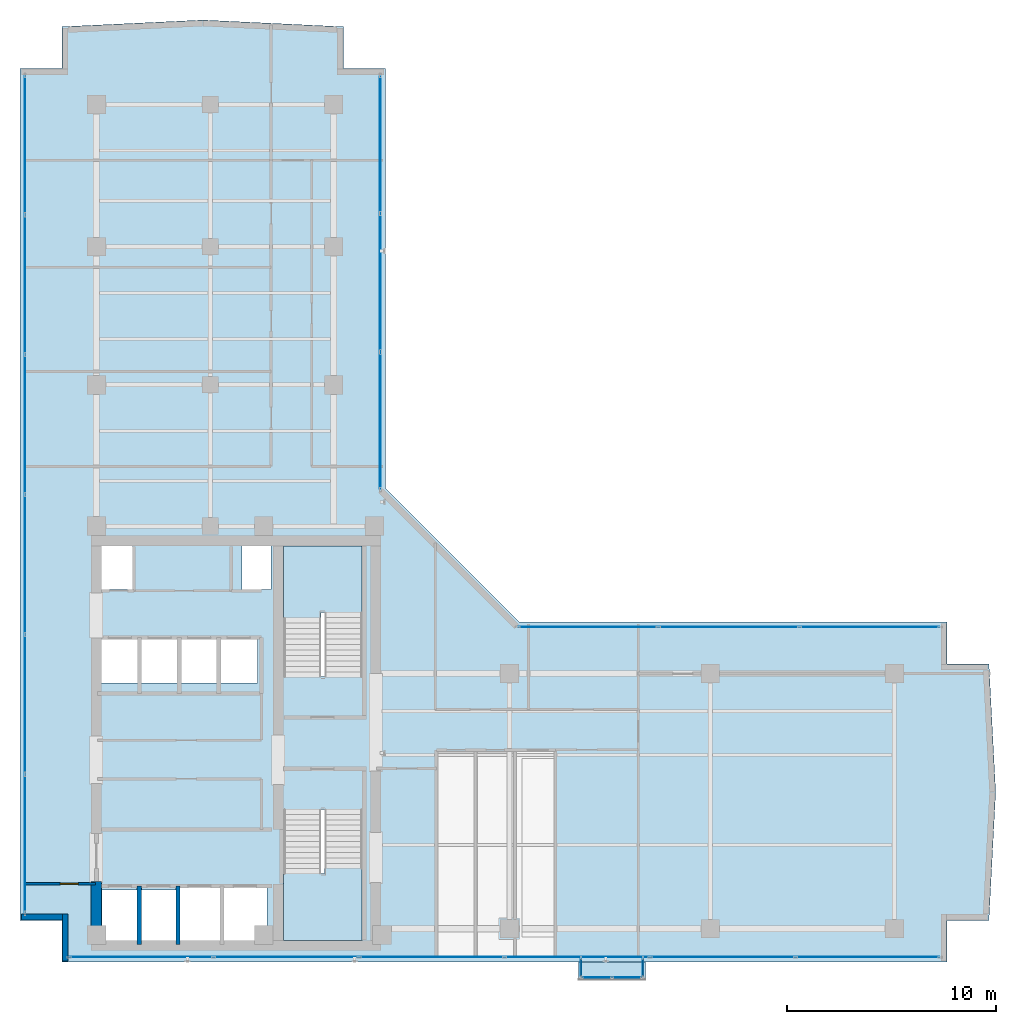
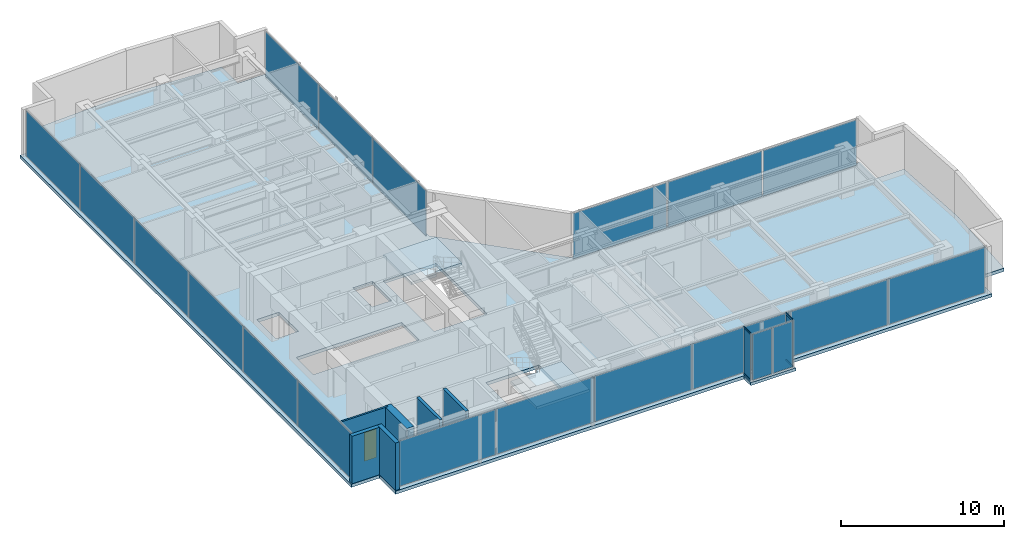
# One storey, part 16 of 22: 22 plates, 6 walls, 4 members, 4 slabs, 1 door, 1 opening, 9 elements without a shape of their own.
"""IFC4 building model written with IfcOpenShell, lengths in metres."""

from ifc_helpers import new_model, si_unit, direction, frame, frame_2d, origin, origin_with_axes, origin_2d, place, context, subcontext, project, spatial, polyline, rectangle, hollow_rectangle, outline, extrude, source, transform, mapped, material, layer, layer_set, material_profile, profile_set, type_object, element, fill, aggregate, save


model = new_model("IFC4")

# Units and contexts
model_context = context("Model", 3, precision=1e-05, world=origin(), true_north=direction((0.0, 1.0)))
body_context = subcontext(model_context, "Body", "Model", "MODEL_VIEW")
ifc_project = project(units=[si_unit("LENGTHUNIT", "METRE"), si_unit("AREAUNIT", "SQUARE_METRE"), si_unit("VOLUMEUNIT", "CUBIC_METRE"), si_unit("PLANEANGLEUNIT", "RADIAN"), si_unit("MASSUNIT", "GRAM", prefix="KILO")], contexts=[model_context])

# Site, building, storey
site_placement = place(None, origin())
site = spatial("IfcSite", under=ifc_project, at=site_placement, CompositionType="ELEMENT")
building_placement = place(site_placement, origin())
building = spatial("IfcBuilding", under=site, at=building_placement, Name="Kolvaren Waterfront Exchange", CompositionType="ELEMENT")
storey_placement = place(building_placement, frame((0.0, 0.0, 312.199951171875)))
storey = spatial("IfcBuildingStorey", under=building, at=storey_placement, Name="L80", CompositionType="ELEMENT", Elevation=312.199951171875)

# Curtain wall, members
ifc_material_1 = material(Name="Anodised bronze aluminium 6063-T6", Category="aluminium")
ifc_layer_1 = layer(ifc_material_1, 0.219970703125, Name="Anodised bronze aluminium 6063-T6")
ifc_layer_set_1 = layer_set([ifc_layer_1], Name="Anodised bronze aluminium 6063-T6")
curtain_wall_type_1 = type_object("IfcCurtainWallType", Name="ARC-CW-SYS3", PredefinedType="USERDEFINED", material=ifc_layer_set_1)
curtain_wall_1_placement = place(storey_placement, origin())
curtain_wall_1 = element("IfcCurtainWall", 1, at=curtain_wall_1_placement, inside=storey, type_object=curtain_wall_type_1, Name="L80 stick curtain wall CW3 (CW-L80-BOX-W)", ObjectType="STICK CURTAIN WALL", PredefinedType="USERDEFINED")
ifc_material_profile = material_profile(ifc_material_1, hollow_rectangle(XDim=0.06494140625, YDim=0.1298828125, WallThickness=0.00390625, at=origin_2d()), Name="ALU-TRN-130x65x4")
ifc_profile_set = profile_set([ifc_material_profile], Name="Anodised bronze aluminium 6063-T6")
member_type = type_object("IfcMemberType", Name="ARC-CWT-130", PredefinedType="USERDEFINED", material=ifc_profile_set)
shared_shape_1 = source(origin_with_axes(), body_context, "Body", "SweptSolid", [
    extrude(hollow_rectangle(XDim=0.06494140625, YDim=0.1298828125, WallThickness=0.00390625, at=origin_2d()), origin(), (0.0, 0.0, 1.0), 0.829833984375),
])
member_1_placement = place(storey_placement, frame((30.610107421875, 3.764892578125, 0.032470703125), z_axis=(0.0, -1.0, 0.0), x_axis=(1.0, 0.0, 0.0)))
member_1 = element("IfcMember", 2, at=member_1_placement, type_object=member_type, Name="CW3 transom 1.1", ObjectType="TRANSOM", PredefinedType="USERDEFINED", context=body_context, shape_type="MappedRepresentation", body=[
    mapped(shared_shape_1, transform((0.0, 0.0, 0.0), x_axis=(1.0, 0.0, 0.0), y_axis=(0.0, 1.0, 0.0), z_axis=(0.0, 0.0, 1.0), scale=1.0)),
])
member_2_placement = place(storey_placement, frame((30.610107421875, 3.764892578125, 3.527587890625), z_axis=(0.0, -1.0, 0.0), x_axis=(1.0, 0.0, 0.0)))
member_2 = element("IfcMember", 3, at=member_2_placement, type_object=member_type, Name="CW3 transom 1.2", ObjectType="TRANSOM", PredefinedType="USERDEFINED", context=body_context, shape_type="MappedRepresentation", body=[
    mapped(shared_shape_1, transform((0.0, 0.0, 0.0), x_axis=(1.0, 0.0, 0.0), y_axis=(0.0, 1.0, 0.0), z_axis=(0.0, 0.0, 1.0), scale=1.0)),
])

curtain_wall_2_placement = place(storey_placement, origin())
curtain_wall_2 = element("IfcCurtainWall", 4, at=curtain_wall_2_placement, inside=storey, type_object=curtain_wall_type_1, Name="L80 stick curtain wall CW3 (CW-L80-BOX-E)", ObjectType="STICK CURTAIN WALL", PredefinedType="USERDEFINED")
member_3_placement = place(storey_placement, frame((33.590087890625, 2.93505859375, 0.032470703125), z_axis=(0.0, 1.0, 0.0), x_axis=(-1.0, 0.0, 0.0)))
member_3 = element("IfcMember", 5, at=member_3_placement, type_object=member_type, Name="CW3 transom 1.1", ObjectType="TRANSOM", PredefinedType="USERDEFINED", context=body_context, shape_type="MappedRepresentation", body=[
    mapped(shared_shape_1, transform((0.0, 0.0, 0.0), x_axis=(1.0, 0.0, 0.0), y_axis=(0.0, 1.0, 0.0), z_axis=(0.0, 0.0, 1.0), scale=1.0)),
])
member_4_placement = place(storey_placement, frame((33.590087890625, 2.93505859375, 3.527587890625), z_axis=(0.0, 1.0, 0.0), x_axis=(-1.0, 0.0, 0.0)))
member_4 = element("IfcMember", 6, at=member_4_placement, type_object=member_type, Name="CW3 transom 1.2", ObjectType="TRANSOM", PredefinedType="USERDEFINED", context=body_context, shape_type="MappedRepresentation", body=[
    mapped(shared_shape_1, transform((0.0, 0.0, 0.0), x_axis=(1.0, 0.0, 0.0), y_axis=(0.0, 1.0, 0.0), z_axis=(0.0, 0.0, 1.0), scale=1.0)),
])

# Stair, slab
ifc_material_2 = material(Name="Concrete C40/50", Category="concrete")
stair_type = type_object("IfcStairType", Name="ARC-STAIR-3800", PredefinedType="HALF_TURN_STAIR", material=ifc_material_2)
stair_1_placement = place(storey_placement, origin())
stair_1 = element("IfcStair", 7, at=stair_1_placement, inside=storey, type_object=stair_type, Name="L80 Smoke-proof exit stair ST1", PredefinedType="HALF_TURN_STAIR")
ifc_layer_2 = layer(ifc_material_2, 0.199951171875, Name="Concrete C40/50")
ifc_layer_set_2 = layer_set([ifc_layer_2], Name="Concrete C40/50")
slab_type_1 = type_object("IfcSlabType", Name="STR-LANDING-200", PredefinedType="LANDING", material=ifc_layer_set_2)
slab_1_placement = place(storey_placement, frame((0.0, 0.0, 1.776123046875)))
slab_1 = element("IfcSlab", 8, at=slab_1_placement, type_object=slab_type_1, Name="ST1 landing 1", PredefinedType="LANDING", context=body_context, shape_type="SweptSolid", body=[
    extrude(outline(polyline([(16.39990234375, 7.840087890625), (16.39990234375, 4.64990234375), (20.159912109375, 4.64990234375), (20.159912109375, 8.10009765625), (18.360107421875, 8.10009765625), (18.360107421875, 7.840087890625), (16.39990234375, 7.840087890625)])), origin(), (0.0, 0.0, 1.0), 0.199951171875),
])
aggregate(stair_1, [slab_1])

stair_2_placement = place(storey_placement, origin())
stair_2 = element("IfcStair", 9, at=stair_2_placement, inside=storey, type_object=stair_type, Name="L80 Smoke-proof exit stair ST2", PredefinedType="HALF_TURN_STAIR")
slab_2_placement = place(storey_placement, frame((0.0, 0.0, 1.776123046875)))
slab_2 = element("IfcSlab", 10, at=slab_2_placement, type_object=slab_type_1, Name="ST2 landing 1", PredefinedType="LANDING", context=body_context, shape_type="SweptSolid", body=[
    extrude(outline(polyline([(20.159912109375, 20.31005859375), (20.159912109375, 23.5), (16.39990234375, 23.5), (16.39990234375, 20.050048828125), (18.199951171875, 20.050048828125), (18.199951171875, 20.31005859375), (20.159912109375, 20.31005859375)])), origin(), (0.0, 0.0, 1.0), 0.199951171875),
])
aggregate(stair_2, [slab_2])

# Slabs
ifc_layer_3 = layer(ifc_material_2, 0.239990234375, Name="Concrete C40/50")
ifc_layer_set_3 = layer_set([ifc_layer_3], Name="Concrete C40/50")
slab_type_2 = type_object("IfcSlabType", Name="STR-SLAB-240", PredefinedType="FLOOR", material=ifc_layer_set_3)
slab_3_placement = place(storey_placement, frame((0.0, 0.0, -0.239990234375)))
element("IfcSlab", 11, at=slab_3_placement, inside=storey, type_object=slab_type_2, Name="L80 structural floor slab", PredefinedType="FLOOR", context=body_context, shape_type="SweptSolid", body=[
    extrude(outline(polyline([(5.800048828125, 3.60009765625), (48.12109375, 3.60009765625), (48.12109375, 5.60009765625), (50.12109375, 5.60009765625), (50.442138671875, 11.731689453125), (50.12109375, 17.86328125), (48.12109375, 17.86328125), (48.12109375, 19.86328125), (27.6630859375, 19.86328125), (21.26318359375, 26.26318359375), (21.26318359375, 46.321044921875), (19.26318359375, 46.321044921875), (19.26318359375, 48.321044921875), (12.531494140625, 48.64208984375), (5.800048828125, 48.321044921875), (5.800048828125, 46.321044921875), (3.800048828125, 46.321044921875), (3.800048828125, 5.60009765625), (5.800048828125, 5.60009765625), (5.800048828125, 3.60009765625)]), holes=[polyline([(11.320068359375, 7.260009765625), (15.610107421875, 7.260009765625), (15.610107421875, 4.5400390625), (7.719970703125, 4.5400390625), (7.719970703125, 7.06005859375), (11.320068359375, 7.06005859375), (11.320068359375, 7.260009765625)]), polyline([(20.159912109375, 10.89990234375), (20.159912109375, 4.64990234375), (16.39990234375, 4.64990234375), (16.39990234375, 10.89990234375), (20.159912109375, 10.89990234375)]), polyline([(7.669921875, 19.06005859375), (15.159912109375, 19.06005859375), (15.159912109375, 16.93994140625), (7.669921875, 16.93994140625), (7.669921875, 19.06005859375)]), polyline([(16.39990234375, 17.25), (16.39990234375, 23.5), (20.159912109375, 23.5), (20.159912109375, 17.25), (16.39990234375, 17.25)]), polyline([(7.60009765625, 23.780029296875), (9.179931640625, 23.780029296875), (9.179931640625, 21.419921875), (7.60009765625, 21.419921875), (7.60009765625, 23.780029296875)]), polyline([(14.419921875, 23.780029296875), (15.800048828125, 23.780029296875), (15.800048828125, 21.419921875), (14.419921875, 21.419921875), (14.419921875, 23.780029296875)])]), origin(), (0.0, 0.0, 1.0), 0.239990234375),
])
ifc_layer_4 = layer(ifc_material_2, 0.219970703125, Name="Concrete C40/50")
ifc_layer_set_4 = layer_set([ifc_layer_4], Name="Concrete C40/50")
slab_type_3 = type_object("IfcSlabType", Name="STR-TERR-220", PredefinedType="FLOOR", material=ifc_layer_set_4)
slab_4_placement = place(storey_placement, frame((0.0, 0.0, -0.219970703125)))
element("IfcSlab", 12, at=slab_4_placement, inside=storey, type_object=slab_type_3, Name="L80 projecting bay-box floor strip", PredefinedType="FLOOR", context=body_context, shape_type="SweptSolid", body=[
    extrude(outline(polyline([(30.5, 2.75), (33.699951171875, 2.75), (33.699951171875, 3.60009765625), (30.5, 3.60009765625), (30.5, 2.75)])), origin(), (0.0, 0.0, 1.0), 0.219970703125),
])

# Plate
ifc_material_3 = material(Name="Bronze tinted bay-box vision glass", Category="aluminium")
ifc_layer_5 = layer(ifc_material_3, 0.02392578125, Name="Bronze tinted bay-box vision glass")
ifc_layer_set_5 = layer_set([ifc_layer_5], Name="Bronze tinted bay-box vision glass")
plate_type_1 = type_object("IfcPlateType", Name="ARC-CWP-24", PredefinedType="CURTAIN_PANEL", material=ifc_layer_set_5)
shared_shape_2 = source(origin_with_axes(), body_context, "Body", "SweptSolid", [
    extrude(rectangle(XDim=0.830078125, YDim=0.02392578125, at=origin_2d()), origin(), (0.0, 0.0, 1.0), 3.429931640625),
])
plate_1_placement = place(storey_placement, frame((30.610107421875, 3.35009765625, 0.06494140625), z_axis=(0.0, 0.0, 1.0), x_axis=(0.0, -1.0, 0.0)))
plate_1 = element("IfcPlate", 13, at=plate_1_placement, type_object=plate_type_1, Name="CW3 panel 1.1", PredefinedType="CURTAIN_PANEL", context=body_context, shape_type="MappedRepresentation", body=[
    mapped(shared_shape_2, transform((0.0, 0.0, 0.0), x_axis=(1.0, 0.0, 0.0), y_axis=(0.0, 1.0, 0.0), z_axis=(0.0, 0.0, 1.0), scale=1.0)),
])

aggregate(curtain_wall_1, [member_1, member_2, plate_1])

plate_2_placement = place(storey_placement, frame((33.590087890625, 3.35009765625, 0.06494140625), z_axis=(0.0, 0.0, 1.0), x_axis=(0.0, 1.0, 0.0)))
plate_2 = element("IfcPlate", 14, at=plate_2_placement, type_object=plate_type_1, Name="CW3 panel 1.1", PredefinedType="CURTAIN_PANEL", context=body_context, shape_type="MappedRepresentation", body=[
    mapped(shared_shape_2, transform((0.0, 0.0, 0.0), x_axis=(1.0, 0.0, 0.0), y_axis=(0.0, 1.0, 0.0), z_axis=(0.0, 0.0, 1.0), scale=1.0)),
])

aggregate(curtain_wall_2, [member_3, member_4, plate_2])

# Curtain wall, plates
curtain_wall_3_placement = place(storey_placement, origin())
curtain_wall_3 = element("IfcCurtainWall", 15, at=curtain_wall_3_placement, inside=storey, type_object=curtain_wall_type_1, Name="L80 stick curtain wall CW3 (CW-L80-BOX)", ObjectType="STICK CURTAIN WALL", PredefinedType="USERDEFINED")
shared_shape_3 = source(origin_with_axes(), body_context, "Body", "SweptSolid", [
    extrude(rectangle(XDim=1.37744140625, YDim=0.02392578125, at=origin_2d()), origin(), (0.0, 0.0, 1.0), 3.429931640625),
])
plate_3_placement = place(storey_placement, frame((31.373779296875, 2.860107421875, 0.06494140625), z_axis=(0.0, 0.0, 1.0), x_axis=(1.0, 0.0, 0.0)))
plate_3 = element("IfcPlate", 16, at=plate_3_placement, type_object=plate_type_1, Name="CW3 panel 1.1", PredefinedType="CURTAIN_PANEL", context=body_context, shape_type="MappedRepresentation", body=[
    mapped(shared_shape_3, transform((0.0, 0.0, 0.0), x_axis=(1.0, 0.0, 0.0), y_axis=(0.0, 1.0, 0.0), z_axis=(0.0, 0.0, 1.0), scale=1.0)),
])
plate_4_placement = place(storey_placement, frame((32.826171875, 2.860107421875, 0.06494140625), z_axis=(0.0, 0.0, 1.0), x_axis=(1.0, 0.0, 0.0)))
plate_4 = element("IfcPlate", 17, at=plate_4_placement, type_object=plate_type_1, Name="CW3 panel 2.1", PredefinedType="CURTAIN_PANEL", context=body_context, shape_type="MappedRepresentation", body=[
    mapped(shared_shape_3, transform((0.0, 0.0, 0.0), x_axis=(1.0, 0.0, 0.0), y_axis=(0.0, 1.0, 0.0), z_axis=(0.0, 0.0, 1.0), scale=1.0)),
])
aggregate(curtain_wall_3, [plate_3, plate_4])

ifc_layer_6 = layer(ifc_material_1, 0.219970703125, Name="Anodised bronze aluminium 6063-T6")
ifc_layer_set_6 = layer_set([ifc_layer_6], Name="Anodised bronze aluminium 6063-T6")
curtain_wall_type_2 = type_object("IfcCurtainWallType", Name="ARC-CW-SYS1", PredefinedType="USERDEFINED", material=ifc_layer_set_6)
curtain_wall_4_placement = place(storey_placement, origin())
curtain_wall_4 = element("IfcCurtainWall", 18, at=curtain_wall_4_placement, inside=storey, type_object=curtain_wall_type_2, Name="L80 stick curtain wall CW1 (CW-L80-S)", ObjectType="STICK CURTAIN WALL", PredefinedType="USERDEFINED")
ifc_material_4 = material(Name="Bronze solar control vision glass", Category="aluminium")
ifc_layer_7 = layer(ifc_material_4, 0.028076171875, Name="Bronze solar control vision glass")
ifc_layer_set_7 = layer_set([ifc_layer_7], Name="Bronze solar control vision glass")
plate_type_2 = type_object("IfcPlateType", Name="ARC-CWP-28", PredefinedType="CURTAIN_PANEL", material=ifc_layer_set_7)
shared_shape_4 = source(origin_with_axes(), body_context, "Body", "SweptSolid", [
    extrude(rectangle(XDim=6.83349609375, YDim=0.028076171875, at=origin_2d()), origin(), (0.0, 0.0, 1.0), 3.409912109375),
])
plate_5_placement = place(storey_placement, frame((9.5966796875, 3.840087890625, 0.0751953125), z_axis=(0.0, 0.0, 1.0), x_axis=(1.0, 0.0, 0.0)))
plate_5 = element("IfcPlate", 19, at=plate_5_placement, type_object=plate_type_2, Name="CW1 panel 1.1", PredefinedType="CURTAIN_PANEL", context=body_context, shape_type="MappedRepresentation", body=[
    mapped(shared_shape_4, transform((0.0, 0.0, 0.0), x_axis=(1.0, 0.0, 0.0), y_axis=(0.0, 1.0, 0.0), z_axis=(0.0, 0.0, 1.0), scale=1.0)),
])
plate_6_placement = place(storey_placement, frame((44.324462890625, 3.840087890625, 0.0751953125), z_axis=(0.0, 0.0, 1.0), x_axis=(1.0, 0.0, 0.0)))
plate_6 = element("IfcPlate", 20, at=plate_6_placement, type_object=plate_type_2, Name="CW1 panel 6.1", PredefinedType="CURTAIN_PANEL", context=body_context, shape_type="MappedRepresentation", body=[
    mapped(shared_shape_4, transform((0.0, 0.0, 0.0), x_axis=(1.0, 0.0, 0.0), y_axis=(0.0, 1.0, 0.0), z_axis=(0.0, 0.0, 1.0), scale=1.0)),
])
shared_shape_5 = source(origin_with_axes(), body_context, "Body", "SweptSolid", [
    extrude(rectangle(XDim=6.87353515625, YDim=0.028076171875, at=origin_2d()), origin(), (0.0, 0.0, 1.0), 3.409912109375),
])
plate_7_placement = place(storey_placement, frame((16.5302734375, 3.840087890625, 0.0751953125), z_axis=(0.0, 0.0, 1.0), x_axis=(1.0, 0.0, 0.0)))
plate_7 = element("IfcPlate", 21, at=plate_7_placement, type_object=plate_type_2, Name="CW1 panel 2.1", PredefinedType="CURTAIN_PANEL", context=body_context, shape_type="MappedRepresentation", body=[
    mapped(shared_shape_5, transform((0.0, 0.0, 0.0), x_axis=(1.0, 0.0, 0.0), y_axis=(0.0, 1.0, 0.0), z_axis=(0.0, 0.0, 1.0), scale=1.0)),
])
plate_8_placement = place(storey_placement, frame((23.48388671875, 3.840087890625, 0.0751953125), z_axis=(0.0, 0.0, 1.0), x_axis=(1.0, 0.0, 0.0)))
plate_8 = element("IfcPlate", 22, at=plate_8_placement, type_object=plate_type_2, Name="CW1 panel 3.1", PredefinedType="CURTAIN_PANEL", context=body_context, shape_type="MappedRepresentation", body=[
    mapped(shared_shape_5, transform((0.0, 0.0, 0.0), x_axis=(1.0, 0.0, 0.0), y_axis=(0.0, 1.0, 0.0), z_axis=(0.0, 0.0, 1.0), scale=1.0)),
])
plate_9_placement = place(storey_placement, frame((30.437255859375, 3.840087890625, 0.0751953125), z_axis=(0.0, 0.0, 1.0), x_axis=(1.0, 0.0, 0.0)))
plate_9 = element("IfcPlate", 23, at=plate_9_placement, type_object=plate_type_2, Name="CW1 panel 4.1", PredefinedType="CURTAIN_PANEL", context=body_context, shape_type="MappedRepresentation", body=[
    mapped(shared_shape_5, transform((0.0, 0.0, 0.0), x_axis=(1.0, 0.0, 0.0), y_axis=(0.0, 1.0, 0.0), z_axis=(0.0, 0.0, 1.0), scale=1.0)),
])
plate_10_placement = place(storey_placement, frame((37.390869140625, 3.840087890625, 0.0751953125), z_axis=(0.0, 0.0, 1.0), x_axis=(1.0, 0.0, 0.0)))
plate_10 = element("IfcPlate", 24, at=plate_10_placement, type_object=plate_type_2, Name="CW1 panel 5.1", PredefinedType="CURTAIN_PANEL", context=body_context, shape_type="MappedRepresentation", body=[
    mapped(shared_shape_5, transform((0.0, 0.0, 0.0), x_axis=(1.0, 0.0, 0.0), y_axis=(0.0, 1.0, 0.0), z_axis=(0.0, 0.0, 1.0), scale=1.0)),
])
aggregate(curtain_wall_4, [plate_5, plate_7, plate_8, plate_9, plate_10, plate_6])

ifc_material_5 = material(Name="Anodised aluminium 6063-T6", Category="aluminium")
ifc_layer_8 = layer(ifc_material_5, 0.219970703125, Name="Anodised aluminium 6063-T6")
ifc_layer_set_8 = layer_set([ifc_layer_8], Name="Anodised aluminium 6063-T6")
curtain_wall_type_3 = type_object("IfcCurtainWallType", Name="ARC-CW-SYS2", PredefinedType="USERDEFINED", material=ifc_layer_set_8)
curtain_wall_5_placement = place(storey_placement, origin())
curtain_wall_5 = element("IfcCurtainWall", 25, at=curtain_wall_5_placement, inside=storey, type_object=curtain_wall_type_3, Name="L80 stick curtain wall CW2 (CW-L80-W)", ObjectType="STICK CURTAIN WALL", PredefinedType="USERDEFINED")
ifc_material_6 = material(Name="Acoustic laminated vision glass", Category="glass")
ifc_layer_9 = layer(ifc_material_6, 0.031982421875, Name="Acoustic laminated vision glass")
ifc_layer_set_9 = layer_set([ifc_layer_9], Name="Acoustic laminated vision glass")
plate_type_3 = type_object("IfcPlateType", Name="ARC-CWP-32", PredefinedType="CURTAIN_PANEL", material=ifc_layer_set_9)
shared_shape_6 = source(origin_with_axes(), body_context, "Body", "SweptSolid", [
    extrude(rectangle(XDim=6.56689453125, YDim=0.031982421875, at=origin_2d()), origin(), (0.0, 0.0, 1.0), 3.409912109375),
])
plate_11_placement = place(storey_placement, frame((4.0400390625, 9.263427734375, 0.0751953125), z_axis=(0.0, 0.0, 1.0), x_axis=(0.0, 1.0, 0.0)))
plate_11 = element("IfcPlate", 26, at=plate_11_placement, type_object=plate_type_3, Name="CW2 panel 1.1", PredefinedType="CURTAIN_PANEL", context=body_context, shape_type="MappedRepresentation", body=[
    mapped(shared_shape_6, transform((0.0, 0.0, 0.0), x_axis=(1.0, 0.0, 0.0), y_axis=(0.0, 1.0, 0.0), z_axis=(0.0, 0.0, 1.0), scale=1.0)),
])
plate_12_placement = place(storey_placement, frame((4.0400390625, 42.65771484375, 0.0751953125), z_axis=(0.0, 0.0, 1.0), x_axis=(0.0, 1.0, 0.0)))
plate_12 = element("IfcPlate", 27, at=plate_12_placement, type_object=plate_type_3, Name="CW2 panel 6.1", PredefinedType="CURTAIN_PANEL", context=body_context, shape_type="MappedRepresentation", body=[
    mapped(shared_shape_6, transform((0.0, 0.0, 0.0), x_axis=(1.0, 0.0, 0.0), y_axis=(0.0, 1.0, 0.0), z_axis=(0.0, 0.0, 1.0), scale=1.0)),
])
shared_shape_7 = source(origin_with_axes(), body_context, "Body", "SweptSolid", [
    extrude(rectangle(XDim=6.60693359375, YDim=0.031982421875, at=origin_2d()), origin(), (0.0, 0.0, 1.0), 3.409912109375),
])
plate_13_placement = place(storey_placement, frame((4.0400390625, 15.93017578125, 0.0751953125), z_axis=(0.0, 0.0, 1.0), x_axis=(0.0, 1.0, 0.0)))
plate_13 = element("IfcPlate", 28, at=plate_13_placement, type_object=plate_type_3, Name="CW2 panel 2.1", PredefinedType="CURTAIN_PANEL", context=body_context, shape_type="MappedRepresentation", body=[
    mapped(shared_shape_7, transform((0.0, 0.0, 0.0), x_axis=(1.0, 0.0, 0.0), y_axis=(0.0, 1.0, 0.0), z_axis=(0.0, 0.0, 1.0), scale=1.0)),
])
plate_14_placement = place(storey_placement, frame((4.0400390625, 22.6171875, 0.0751953125), z_axis=(0.0, 0.0, 1.0), x_axis=(0.0, 1.0, 0.0)))
plate_14 = element("IfcPlate", 29, at=plate_14_placement, type_object=plate_type_3, Name="CW2 panel 3.1", PredefinedType="CURTAIN_PANEL", context=body_context, shape_type="MappedRepresentation", body=[
    mapped(shared_shape_7, transform((0.0, 0.0, 0.0), x_axis=(1.0, 0.0, 0.0), y_axis=(0.0, 1.0, 0.0), z_axis=(0.0, 0.0, 1.0), scale=1.0)),
])
plate_15_placement = place(storey_placement, frame((4.0400390625, 29.303955078125, 0.0751953125), z_axis=(0.0, 0.0, 1.0), x_axis=(0.0, 1.0, 0.0)))
plate_15 = element("IfcPlate", 30, at=plate_15_placement, type_object=plate_type_3, Name="CW2 panel 4.1", PredefinedType="CURTAIN_PANEL", context=body_context, shape_type="MappedRepresentation", body=[
    mapped(shared_shape_7, transform((0.0, 0.0, 0.0), x_axis=(1.0, 0.0, 0.0), y_axis=(0.0, 1.0, 0.0), z_axis=(0.0, 0.0, 1.0), scale=1.0)),
])
plate_16_placement = place(storey_placement, frame((4.0400390625, 35.99072265625, 0.0751953125), z_axis=(0.0, 0.0, 1.0), x_axis=(0.0, 1.0, 0.0)))
plate_16 = element("IfcPlate", 31, at=plate_16_placement, type_object=plate_type_3, Name="CW2 panel 5.1", PredefinedType="CURTAIN_PANEL", context=body_context, shape_type="MappedRepresentation", body=[
    mapped(shared_shape_7, transform((0.0, 0.0, 0.0), x_axis=(1.0, 0.0, 0.0), y_axis=(0.0, 1.0, 0.0), z_axis=(0.0, 0.0, 1.0), scale=1.0)),
])
aggregate(curtain_wall_5, [plate_11, plate_13, plate_14, plate_15, plate_16, plate_12])

curtain_wall_6_placement = place(storey_placement, origin())
curtain_wall_6 = element("IfcCurtainWall", 32, at=curtain_wall_6_placement, inside=storey, type_object=curtain_wall_type_2, Name="L80 stick curtain wall CW1 (CW-L80-NE)", ObjectType="STICK CURTAIN WALL", PredefinedType="USERDEFINED")
shared_shape_8 = source(origin_with_axes(), body_context, "Body", "SweptSolid", [
    extrude(rectangle(XDim=6.502685546875, YDim=0.028076171875, at=origin_2d()), origin(), (0.0, 0.0, 1.0), 3.409912109375),
])
plate_17_placement = place(storey_placement, frame((21.023193359375, 29.484619140625, 0.0751953125), z_axis=(0.0, 0.0, 1.0), x_axis=(0.0, 1.0, 0.0)))
plate_17 = element("IfcPlate", 33, at=plate_17_placement, type_object=plate_type_2, Name="CW1 panel 1.1", PredefinedType="CURTAIN_PANEL", context=body_context, shape_type="MappedRepresentation", body=[
    mapped(shared_shape_8, transform((0.0, 0.0, 0.0), x_axis=(1.0, 0.0, 0.0), y_axis=(0.0, 1.0, 0.0), z_axis=(0.0, 0.0, 1.0), scale=1.0)),
])
plate_18_placement = place(storey_placement, frame((21.023193359375, 42.689697265625, 0.0751953125), z_axis=(0.0, 0.0, 1.0), x_axis=(0.0, 1.0, 0.0)))
plate_18 = element("IfcPlate", 34, at=plate_18_placement, type_object=plate_type_2, Name="CW1 panel 3.1", PredefinedType="CURTAIN_PANEL", context=body_context, shape_type="MappedRepresentation", body=[
    mapped(shared_shape_8, transform((0.0, 0.0, 0.0), x_axis=(1.0, 0.0, 0.0), y_axis=(0.0, 1.0, 0.0), z_axis=(0.0, 0.0, 1.0), scale=1.0)),
])
shared_shape_9 = source(origin_with_axes(), body_context, "Body", "SweptSolid", [
    extrude(rectangle(XDim=6.542724609375, YDim=0.028076171875, at=origin_2d()), origin(), (0.0, 0.0, 1.0), 3.409912109375),
])
plate_19_placement = place(storey_placement, frame((21.023193359375, 36.087158203125, 0.0751953125), z_axis=(0.0, 0.0, 1.0), x_axis=(0.0, 1.0, 0.0)))
plate_19 = element("IfcPlate", 35, at=plate_19_placement, type_object=plate_type_2, Name="CW1 panel 2.1", PredefinedType="CURTAIN_PANEL", context=body_context, shape_type="MappedRepresentation", body=[
    mapped(shared_shape_9, transform((0.0, 0.0, 0.0), x_axis=(1.0, 0.0, 0.0), y_axis=(0.0, 1.0, 0.0), z_axis=(0.0, 0.0, 1.0), scale=1.0)),
])
aggregate(curtain_wall_6, [plate_17, plate_19, plate_18])

curtain_wall_7_placement = place(storey_placement, origin())
curtain_wall_7 = element("IfcCurtainWall", 36, at=curtain_wall_7_placement, inside=storey, type_object=curtain_wall_type_2, Name="L80 stick curtain wall CW1 (CW-L80-EN)", ObjectType="STICK CURTAIN WALL", PredefinedType="USERDEFINED")
shared_shape_10 = source(origin_with_axes(), body_context, "Body", "SweptSolid", [
    extrude(rectangle(XDim=6.635986328125, YDim=0.028076171875, at=origin_2d()), origin(), (0.0, 0.0, 1.0), 3.409912109375),
])
plate_20_placement = place(storey_placement, frame((30.951171875, 19.623291015625, 0.0751953125), z_axis=(0.0, 0.0, 1.0), x_axis=(1.0, 0.0, 0.0)))
plate_20 = element("IfcPlate", 37, at=plate_20_placement, type_object=plate_type_2, Name="CW1 panel 1.1", PredefinedType="CURTAIN_PANEL", context=body_context, shape_type="MappedRepresentation", body=[
    mapped(shared_shape_10, transform((0.0, 0.0, 0.0), x_axis=(1.0, 0.0, 0.0), y_axis=(0.0, 1.0, 0.0), z_axis=(0.0, 0.0, 1.0), scale=1.0)),
])
plate_21_placement = place(storey_placement, frame((44.423095703125, 19.623291015625, 0.0751953125), z_axis=(0.0, 0.0, 1.0), x_axis=(1.0, 0.0, 0.0)))
plate_21 = element("IfcPlate", 38, at=plate_21_placement, type_object=plate_type_2, Name="CW1 panel 3.1", PredefinedType="CURTAIN_PANEL", context=body_context, shape_type="MappedRepresentation", body=[
    mapped(shared_shape_10, transform((0.0, 0.0, 0.0), x_axis=(1.0, 0.0, 0.0), y_axis=(0.0, 1.0, 0.0), z_axis=(0.0, 0.0, 1.0), scale=1.0)),
])
shared_shape_11 = source(origin_with_axes(), body_context, "Body", "SweptSolid", [
    extrude(rectangle(XDim=6.676025390625, YDim=0.028076171875, at=origin_2d()), origin(), (0.0, 0.0, 1.0), 3.409912109375),
])
plate_22_placement = place(storey_placement, frame((37.687255859375, 19.623291015625, 0.0751953125), z_axis=(0.0, 0.0, 1.0), x_axis=(1.0, 0.0, 0.0)))
plate_22 = element("IfcPlate", 39, at=plate_22_placement, type_object=plate_type_2, Name="CW1 panel 2.1", PredefinedType="CURTAIN_PANEL", context=body_context, shape_type="MappedRepresentation", body=[
    mapped(shared_shape_11, transform((0.0, 0.0, 0.0), x_axis=(1.0, 0.0, 0.0), y_axis=(0.0, 1.0, 0.0), z_axis=(0.0, 0.0, 1.0), scale=1.0)),
])
aggregate(curtain_wall_7, [plate_20, plate_22, plate_21])

# Walls
ifc_material_7 = material(Name="Precast concrete C40/50", Category="concrete")
ifc_layer_10 = layer(ifc_material_7, 0.280029296875, Name="Precast concrete C40/50")
ifc_layer_set_10 = layer_set([ifc_layer_10], Name="Precast concrete C40/50")
wall_type_1 = type_object("IfcWallType", Name="ARC-EXT-TERR-280", PredefinedType="SOLIDWALL", material=ifc_layer_set_10)
wall_1_placement = place(storey_placement, frame((5.9599609375, 3.659912109375, 0.0), z_axis=(0.0, 0.0, 1.0), x_axis=(0.0, 1.0, 0.0)))
element("IfcWall", 40, at=wall_1_placement, inside=storey, type_object=wall_type_1, Name="L80 notched corner spandrel pier SW-A", PredefinedType="SOLIDWALL", context=body_context, shape_type="SweptSolid", body=[
    extrude(rectangle(XDim=2.239990234375, YDim=0.280029296875, at=frame_2d((1.1201171875, 0.0))), origin(), (0.0, 0.0, 1.0), 3.56005859375),
])
wall_2_placement = place(storey_placement, frame((3.860107421875, 5.760009765625, 0.0), z_axis=(0.0, 0.0, 1.0), x_axis=(1.0, 0.0, 0.0)))
element("IfcWall", 41, at=wall_2_placement, inside=storey, type_object=wall_type_1, Name="L80 notched corner spandrel pier SW-B", PredefinedType="SOLIDWALL", context=body_context, shape_type="SweptSolid", body=[
    extrude(rectangle(XDim=1.9599609375, YDim=0.280029296875, at=frame_2d((0.97998046875, 0.0))), origin(), (0.0, 0.0, 1.0), 3.56005859375),
])

# Wall, opening, door
ifc_material_8 = material(Name="Acoustic gypsum steel stud", Category="steel")
ifc_layer_11 = layer(ifc_material_8, 0.125, Name="Acoustic gypsum steel stud")
ifc_layer_set_11 = layer_set([ifc_layer_11], Name="Acoustic gypsum steel stud")
wall_type_2 = type_object("IfcWallType", Name="ARC-PART-125", PredefinedType="PARTITIONING", material=ifc_layer_set_11)
wall_3_placement = place(storey_placement, frame((4.0400390625, 7.35009765625, 0.0), z_axis=(0.0, 0.0, 1.0), x_axis=(1.0, 0.0, 0.0)))
wall_3 = element("IfcWall", 42, at=wall_3_placement, inside=storey, type_object=wall_type_2, Name="L80 interior wall PW-L80-SWC-N", PredefinedType="PARTITIONING", context=body_context, shape_type="SweptSolid", body=[
    extrude(rectangle(XDim=3.35986328125, YDim=0.125, at=frame_2d((1.679931640625, 0.0))), origin(), (0.0, 0.0, 1.0), 3.56005859375),
])
opening_placement = place(wall_3_placement, frame((1.686767578125, 0.0, 0.0)))
opening = element("IfcOpeningElement", 43, at=opening_placement, cuts=wall_3, Name="Opening D01", PredefinedType="OPENING", context=body_context, shape_type="SweptSolid", body=[
    extrude(rectangle(XDim=0.85009765625, YDim=2.14990234375, at=frame_2d((0.425048828125, 1.074951171875))), frame((0.0, 0.072509765625, 0.0), z_axis=(0.0, -1.0, 0.0), x_axis=(1.0, 0.0, 0.0)), (0.0, 0.0, 1.0), 0.14501953125),
])
ifc_material_9 = material(Name="Oak veneer timber leaf", Category="wood")
door_type = type_object("IfcDoorType", Name="ARC-DR-900", OperationType="NOTDEFINED", PredefinedType="DOOR", material=ifc_material_9)
door_placement = place(opening_placement, origin())
door = element("IfcDoor", 44, at=door_placement, inside=storey, type_object=door_type, Name="L80 door DR-L80-SWC-D (D01)", OperationType="SINGLE_SWING_LEFT", OverallHeight=2.14990234375, OverallWidth=0.85009765625, PredefinedType="DOOR", context=body_context, shape_type="SweptSolid", body=[
    extrude(rectangle(XDim=0.85009765625, YDim=2.14990234375, at=frame_2d((0.425048828125, 1.074951171875))), frame((0.0, 0.02490234375, 0.0), z_axis=(0.0, -1.0, 0.0), x_axis=(1.0, 0.0, 0.0)), (0.0, 0.0, 1.0), 0.050048828125),
])
fill(opening, door)

# Walls
ifc_layer_12 = layer(ifc_material_2, 0.199951171875, Name="Concrete C40/50")
ifc_layer_set_12 = layer_set([ifc_layer_12], Name="Concrete C40/50")
wall_type_3 = type_object("IfcWallType", Name="ARC-SHAFT-200", PredefinedType="PARTITIONING", material=ifc_layer_set_12)
for number, where, z_axis, x_axis, name in (
    (45, (9.5, 4.449951171875, 0.0), (0.0, 0.0, 1.0), (0.0, 1.0, 0.0), "L80 interior wall PW-L80-SH1-DIV-95"),
    (46, (11.360107421875, 4.449951171875, 0.0), (0.0, 0.0, 1.0), (0.0, 1.0, 0.0), "L80 interior wall PW-L80-SH1-DIV-113"),
):
    element("IfcWall", number, at=place(storey_placement, frame(where, z_axis=z_axis, x_axis=x_axis)), inside=storey, type_object=wall_type_3, Name=name, PredefinedType="PARTITIONING", context=body_context, shape_type="SweptSolid", body=[
        extrude(rectangle(XDim=2.800048828125, YDim=0.199951171875, at=frame_2d((1.39990234375, 0.0))), origin(), (0.0, 0.0, 1.0), 3.56005859375),
    ])
ifc_material_10 = material(Name="Concrete C50/60", Category="concrete")
ifc_layer_13 = layer(ifc_material_10, 0.5, Name="Concrete C50/60")
ifc_layer_set_13 = layer_set([ifc_layer_13], Name="Concrete C50/60")
wall_type_4 = type_object("IfcWallType", Name="STR-CWALL-500", PredefinedType="SHEAR", material=ifc_layer_set_13)
wall_4_placement = place(storey_placement, frame((7.449951171875, 4.64990234375, 0.0), z_axis=(0.0, 0.0, 1.0), x_axis=(0.0, 1.0, 0.0)))
element("IfcWall", 47, at=wall_4_placement, inside=storey, type_object=wall_type_4, Name="L80 rear-core shear wall W1", PredefinedType="SHEAR", context=body_context, shape_type="SweptSolid", body=[
    extrude(rectangle(XDim=2.800048828125, YDim=0.5, at=frame_2d((1.39990234375, 0.0))), origin(), (0.0, 0.0, 1.0), 3.56005859375),
])

save(model, "model.ifc")
